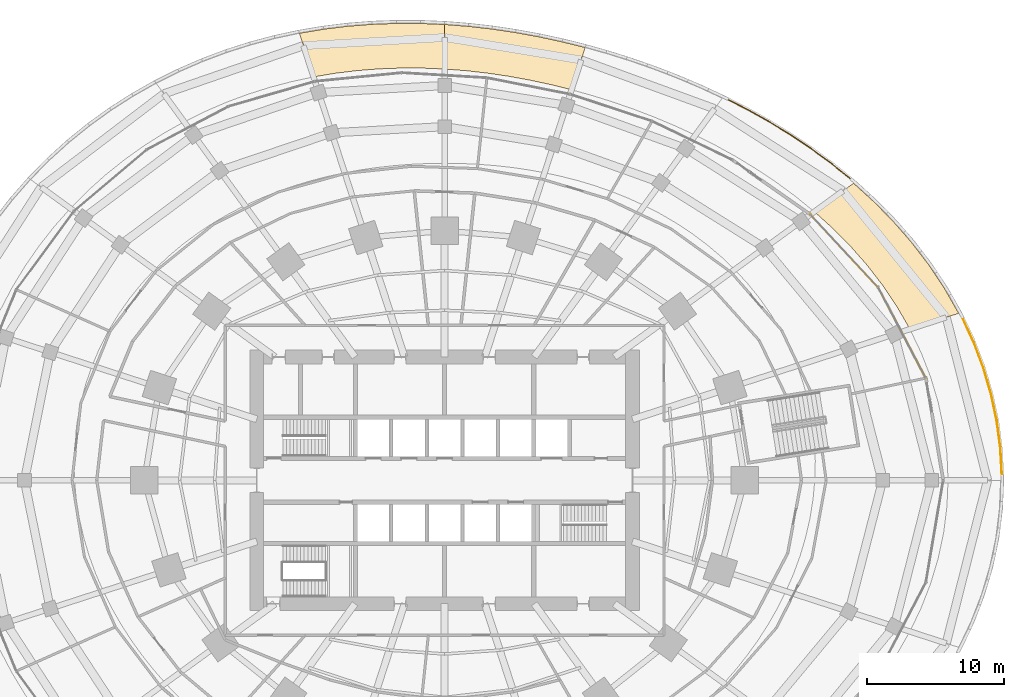
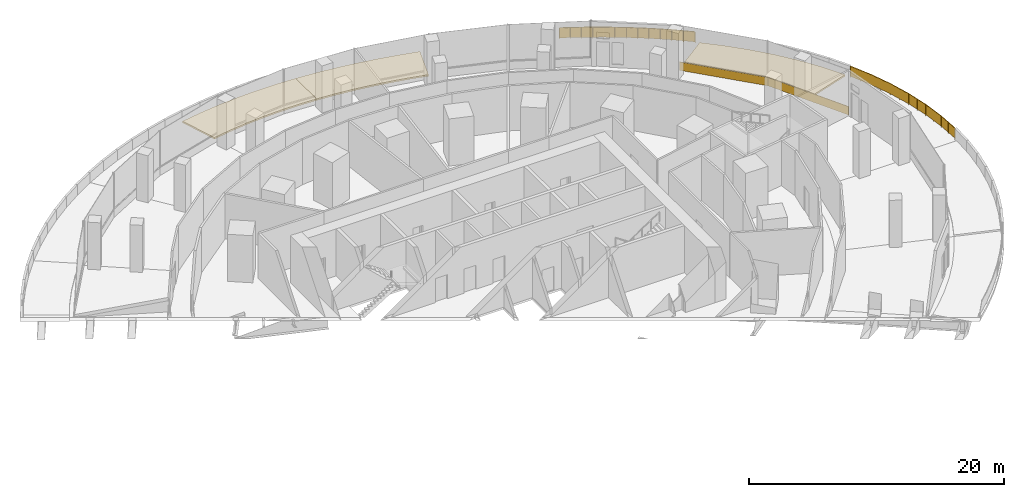
# One storey, part 27 of 27: 5 coverings, 2 railings.
"""IFC4 building model written with IfcOpenShell, lengths in metres."""

from ifc_helpers import new_model, si_unit, direction, frame, origin, origin_2d, place, context, subcontext, project, spatial, polyline, rectangle, circle, outline, extrude, material, layer, layer_set, type_object, element, save


model = new_model("IFC4")

# Units and contexts
model_context = context("Model", 3, precision=1e-05, world=origin(), true_north=direction((0.0, 1.0)))
body_context = subcontext(model_context, "Body", "Model", "MODEL_VIEW")
ifc_project = project(units=[si_unit("LENGTHUNIT", "METRE"), si_unit("AREAUNIT", "SQUARE_METRE"), si_unit("VOLUMEUNIT", "CUBIC_METRE"), si_unit("PLANEANGLEUNIT", "RADIAN"), si_unit("MASSUNIT", "GRAM", prefix="KILO")], contexts=[model_context])

# Site, building, storey
site_placement = place(None, origin())
site = spatial("IfcSite", under=ifc_project, at=site_placement, CompositionType="ELEMENT")
building_placement = place(site_placement, origin())
building = spatial("IfcBuilding", under=site, at=building_placement, Name="Marramba Exchange Tower", CompositionType="ELEMENT")
storey_placement = place(building_placement, frame((0.0, 0.0, 10.60009765625)))
storey = spatial("IfcBuildingStorey", under=building, at=storey_placement, Name="L02", CompositionType="ELEMENT", Elevation=10.60009765625)

# Coverings
ifc_material_1 = material(Name="Extensive green roof: growing medium on drainage cell, filter fabric and root-barrier membrane")
ifc_layer_1 = layer(ifc_material_1, 0.14990234375)
ifc_layer_set_1 = layer_set([ifc_layer_1], Name="Planted roof build-up 150")
covering_type_1 = type_object("IfcCoveringType", Name="Planted roof build-up 150", PredefinedType="ROOFING", material=ifc_layer_set_1)
covering_1_placement = place(storey_placement, origin())
element("IfcCovering", 1, at=covering_1_placement, inside=storey, type_object=covering_type_1, Name="Planted roof build-up L02 bay 02", PredefinedType="ROOFING", context=body_context, shape_type="SweptSolid", body=[
    extrude(outline(polyline([(33.93505859375, 11.026123046875), (32.99462890625, 12.66552734375), (31.948486328125, 14.224365234375), (30.809814453125, 15.698486328125), (29.591796875, 17.0849609375), (28.30712890625, 18.3828125), (26.96728515625, 19.593017578125), (29.825927734375, 21.669677734375), (31.3017578125, 20.32763671875), (32.71630859375, 18.888671875), (34.056884765625, 17.352783203125), (35.30908203125, 15.720703125), (36.459228515625, 13.995361328125), (37.492431640625, 12.18212890625), (33.93505859375, 11.026123046875)])), origin(), (0.0, 0.0, 1.0), 0.14990234375),
])
covering_2_placement = place(storey_placement, origin())
element("IfcCovering", 2, at=covering_2_placement, inside=storey, type_object=covering_type_1, Name="Planted roof build-up L02 bay 05", PredefinedType="ROOFING", context=body_context, shape_type="SweptSolid", body=[
    extrude(outline(polyline([(9.256591796875, 28.48876953125), (7.734375, 28.864990234375), (6.205078125, 29.19287109375), (4.66796875, 29.471923828125), (3.12158203125, 29.700927734375), (1.56591796875, 29.877685546875), (0.0, 30.0), (0.0, 33.25), (1.7353515625, 33.113525390625), (3.459716796875, 32.916015625), (5.1728515625, 32.66064453125), (6.8759765625, 32.34912109375), (8.56982421875, 31.9833984375), (10.255615234375, 31.563720703125), (9.256591796875, 28.48876953125)])), origin(), (0.0, 0.0, 1.0), 0.14990234375),
])
covering_3_placement = place(storey_placement, origin())
element("IfcCovering", 3, at=covering_3_placement, inside=storey, type_object=covering_type_1, Name="Planted roof build-up L02 bay 06", PredefinedType="ROOFING", context=body_context, shape_type="SweptSolid", body=[
    extrude(outline(polyline([(0.0, 30.0), (-1.57568359375, 30.065185546875), (-3.160400390625, 30.0703125), (-4.75341796875, 30.01220703125), (-6.352783203125, 29.887451171875), (-7.956298828125, 29.693115234375), (-9.56103515625, 29.42578125), (-10.595458984375, 32.60986328125), (-10.595458984375, 32.60986328125), (-8.817626953125, 32.907958984375), (-7.040771484375, 33.124755859375), (-5.2685546875, 33.263671875), (-3.5029296875, 33.32861328125), (-1.746337890625, 33.32275390625), (0.0, 33.25), (0.0, 30.0)])), origin(), (0.0, 0.0, 1.0), 0.14990234375),
])
ifc_material_2 = material(Name="Aluminium spandrel panel, bronze anodised, insulated", Category="aluminium")
ifc_layer_2 = layer(ifc_material_2, 0.050048828125)
ifc_layer_set_2 = layer_set([ifc_layer_2], Name="Spandrel panel 800")
covering_type_2 = type_object("IfcCoveringType", Name="Spandrel panel 800", PredefinedType="CLADDING", material=ifc_layer_set_2)
covering_4_placement = place(storey_placement, frame((33.366943359375, 10.77197265625, 0.0), z_axis=(0.0, 0.0, 1.0), x_axis=(-0.46491901553, 0.885353211435, 0.0)))
element("IfcCovering", 4, at=covering_4_placement, inside=storey, type_object=covering_type_2, Name="Spandrel panel SP1 L02 F02", PredefinedType="CLADDING", context=body_context, shape_type="SweptSolid", body=[
    extrude(rectangle(XDim=7.4775390625, YDim=0.050048828125, at=origin_2d()), origin(), (0.0, 0.0, 1.0), 0.800048828125),
])
covering_5_placement = place(storey_placement, frame((29.156494140625, 16.734619140625, 0.0), z_axis=(0.0, 0.0, 1.0), x_axis=(-0.681809422267, 0.731529843348, 0.0)))
element("IfcCovering", 5, at=covering_5_placement, inside=storey, type_object=covering_type_2, Name="Spandrel panel SP1 L02 F03", PredefinedType="CLADDING", context=body_context, shape_type="SweptSolid", body=[
    extrude(rectangle(XDim=7.252197265625, YDim=0.050048828125, at=origin_2d()), origin(), (0.0, 0.0, 1.0), 0.800048828125),
])

# Railings
ifc_material_3 = material(Name="Bronze anodised aluminium and laminated glass guard", Category="aluminium")
railing_type = type_object("IfcRailingType", Name="Terrace guard 1100", PredefinedType="GUARDRAIL", material=ifc_material_3)
railing_1_placement = place(storey_placement, frame((40.64697265625, 0.3984375, 0.0)))
element("IfcRailing", 6, at=railing_1_placement, inside=storey, type_object=railing_type, Name="Terrace guard GR1 L02 bay 01", PredefinedType="GUARDRAIL", context=body_context, shape_type="SweptSolid", body=[
    extrude(circle(Radius=0.02392578125, at=origin_2d()), frame((0.0, 0.0, 1.076171875), z_axis=(-0.055001880338, 0.998486250861, 0.0), x_axis=(-0.998486250861, -0.055001880338, 0.0)), (0.0, 0.0, 1.0), 1.992919921875),
    extrude(circle(Radius=0.02392578125, at=origin_2d()), frame((-0.109619140625, 1.989990234375, 1.076171875), z_axis=(-0.1329025185, 0.991129113979, 0.0), x_axis=(-0.991129113979, -0.1329025185, 0.0)), (0.0, 0.0, 1.0), 1.9912109375),
    extrude(circle(Radius=0.02392578125, at=origin_2d()), frame((-0.374267578125, 3.963623046875, 1.076171875), z_axis=(-0.209034489972, 0.977908268705, 0.0), x_axis=(-0.977908268705, -0.209034489972, 0.0)), (0.0, 0.0, 1.0), 1.989013671875),
    extrude(circle(Radius=0.02392578125, at=origin_2d()), frame((-0.7900390625, 5.90869140625, 1.076171875), z_axis=(-0.282559234492, 0.95924985223, 0.0), x_axis=(-0.95924985223, -0.282559234492, 0.0)), (0.0, 0.0, 1.0), 1.984619140625),
    extrude(circle(Radius=0.02392578125, at=origin_2d()), frame((-1.350830078125, 7.8125, 1.076171875), z_axis=(-0.352704735275, 0.935734668437, 0.0), x_axis=(-0.935734668437, -0.352704735275, 0.0)), (0.0, 0.0, 1.0), 1.97900390625),
    extrude(circle(Radius=0.02392578125, at=origin_2d()), frame((-2.048828125, 9.664306640625, 1.076171875), z_axis=(-0.418861877596, 0.908049958701, 0.0), x_axis=(-0.908049958701, -0.418861877596, 0.0)), (0.0, 0.0, 1.0), 1.971923828125),
    extrude(circle(Radius=0.02099609375, at=origin_2d()), origin(), (0.0, 0.0, 1.0), 1.052001953125),
    extrude(circle(Radius=0.02099609375, at=origin_2d()), frame((-0.0546875, 0.9951171875, 0.0)), (0.0, 0.0, 1.0), 1.052001953125),
    extrude(circle(Radius=0.02099609375, at=origin_2d()), frame((-0.109619140625, 1.989990234375, 0.0)), (0.0, 0.0, 1.0), 1.052001953125),
    extrude(circle(Radius=0.02099609375, at=origin_2d()), frame((-0.241943359375, 2.976806640625, 0.0)), (0.0, 0.0, 1.0), 1.052001953125),
    extrude(circle(Radius=0.02099609375, at=origin_2d()), frame((-0.374267578125, 3.963623046875, 0.0)), (0.0, 0.0, 1.0), 1.052001953125),
    extrude(circle(Radius=0.02099609375, at=origin_2d()), frame((-0.58203125, 4.93603515625, 0.0)), (0.0, 0.0, 1.0), 1.052001953125),
    extrude(circle(Radius=0.02099609375, at=origin_2d()), frame((-0.7900390625, 5.90869140625, 0.0)), (0.0, 0.0, 1.0), 1.052001953125),
    extrude(circle(Radius=0.02099609375, at=origin_2d()), frame((-1.0703125, 6.860595703125, 0.0)), (0.0, 0.0, 1.0), 1.052001953125),
    extrude(circle(Radius=0.02099609375, at=origin_2d()), frame((-1.350830078125, 7.8125, 0.0)), (0.0, 0.0, 1.0), 1.052001953125),
    extrude(circle(Radius=0.02099609375, at=origin_2d()), frame((-1.69970703125, 8.73828125, 0.0)), (0.0, 0.0, 1.0), 1.052001953125),
    extrude(circle(Radius=0.02099609375, at=origin_2d()), frame((-2.048828125, 9.664306640625, 0.0)), (0.0, 0.0, 1.0), 1.052001953125),
    extrude(circle(Radius=0.02099609375, at=origin_2d()), frame((-2.4619140625, 10.5595703125, 0.0)), (0.0, 0.0, 1.0), 1.052001953125),
    extrude(circle(Radius=0.02099609375, at=origin_2d()), frame((-2.874755859375, 11.454833984375, 0.0)), (0.0, 0.0, 1.0), 1.052001953125),
    extrude(rectangle(XDim=0.978515625, YDim=0.02001953125, at=origin_2d()), frame((-0.02734375, 0.49755859375, 0.10009765625), z_axis=(0.0, 0.0, 1.0), x_axis=(-0.055001880338, 0.998486250861, 0.0)), (0.0, 0.0, 1.0), 0.951904296875),
    extrude(rectangle(XDim=0.978515625, YDim=0.02001953125, at=origin_2d()), frame((-0.082275390625, 1.492431640625, 0.10009765625), z_axis=(0.0, 0.0, 1.0), x_axis=(-0.055001880338, 0.998486250861, 0.0)), (0.0, 0.0, 1.0), 0.951904296875),
    extrude(rectangle(XDim=0.9775390625, YDim=0.02001953125, at=origin_2d()), frame((-0.17578125, 2.4833984375, 0.10009765625), z_axis=(0.0, 0.0, 1.0), x_axis=(-0.1329025185, 0.991129113979, 0.0)), (0.0, 0.0, 1.0), 0.951904296875),
    extrude(rectangle(XDim=0.9775390625, YDim=0.02001953125, at=origin_2d()), frame((-0.30810546875, 3.47021484375, 0.10009765625), z_axis=(0.0, 0.0, 1.0), x_axis=(-0.1329025185, 0.991129113979, 0.0)), (0.0, 0.0, 1.0), 0.951904296875),
    extrude(rectangle(XDim=0.9765625, YDim=0.02001953125, at=origin_2d()), frame((-0.478271484375, 4.449951171875, 0.10009765625), z_axis=(0.0, 0.0, 1.0), x_axis=(-0.209034489972, 0.977908268705, 0.0)), (0.0, 0.0, 1.0), 0.951904296875),
    extrude(rectangle(XDim=0.9765625, YDim=0.02001953125, at=origin_2d()), frame((-0.68603515625, 5.42236328125, 0.10009765625), z_axis=(0.0, 0.0, 1.0), x_axis=(-0.209034489972, 0.977908268705, 0.0)), (0.0, 0.0, 1.0), 0.951904296875),
    extrude(rectangle(XDim=0.974365234375, YDim=0.02001953125, at=origin_2d()), frame((-0.93017578125, 6.384765625, 0.10009765625), z_axis=(0.0, 0.0, 1.0), x_axis=(-0.282559234492, 0.95924985223, 0.0)), (0.0, 0.0, 1.0), 0.951904296875),
    extrude(rectangle(XDim=0.974365234375, YDim=0.02001953125, at=origin_2d()), frame((-1.210693359375, 7.33642578125, 0.10009765625), z_axis=(0.0, 0.0, 1.0), x_axis=(-0.282559234492, 0.95924985223, 0.0)), (0.0, 0.0, 1.0), 0.951904296875),
    extrude(rectangle(XDim=0.971435546875, YDim=0.02001953125, at=origin_2d()), frame((-1.525390625, 8.275390625, 0.10009765625), z_axis=(0.0, 0.0, 1.0), x_axis=(-0.352704735275, 0.935734668437, 0.0)), (0.0, 0.0, 1.0), 0.951904296875),
    extrude(rectangle(XDim=0.971435546875, YDim=0.02001953125, at=origin_2d()), frame((-1.874267578125, 9.201416015625, 0.10009765625), z_axis=(0.0, 0.0, 1.0), x_axis=(-0.352704735275, 0.935734668437, 0.0)), (0.0, 0.0, 1.0), 0.951904296875),
    extrude(rectangle(XDim=0.968017578125, YDim=0.02001953125, at=origin_2d()), frame((-2.25537109375, 10.11181640625, 0.10009765625), z_axis=(0.0, 0.0, 1.0), x_axis=(-0.418861877596, 0.908049958701, 0.0)), (0.0, 0.0, 1.0), 0.951904296875),
    extrude(rectangle(XDim=0.968017578125, YDim=0.02001953125, at=origin_2d()), frame((-2.668212890625, 11.00732421875, 0.10009765625), z_axis=(0.0, 0.0, 1.0), x_axis=(-0.418861877596, 0.908049958701, 0.0)), (0.0, 0.0, 1.0), 0.951904296875),
])
railing_2_placement = place(storey_placement, frame((29.595947265625, 21.993896484375, 0.0)))
element("IfcRailing", 7, at=railing_2_placement, inside=storey, type_object=railing_type, Name="Terrace guard GR1 L02 bay 03", PredefinedType="GUARDRAIL", context=body_context, shape_type="SweptSolid", body=[
    extrude(circle(Radius=0.02392578125, at=origin_2d()), frame((0.0, 0.0, 1.076171875), z_axis=(-0.779057739733, 0.626952181719, 0.0), x_axis=(-0.626952181719, -0.779057739733, 0.0)), (0.0, 0.0, 1.0), 1.831298828125),
    extrude(circle(Radius=0.02392578125, at=origin_2d()), frame((-1.4267578125, 1.148193359375, 1.076171875), z_axis=(-0.806589407898, 0.591112110405, 0.0), x_axis=(-0.591112110405, -0.806589407898, 0.0)), (0.0, 0.0, 1.0), 1.809326171875),
    extrude(circle(Radius=0.02392578125, at=origin_2d()), frame((-2.88623046875, 2.2177734375, 1.076171875), z_axis=(-0.83089251439, 0.556432951514, 0.0), x_axis=(-0.556432951514, -0.83089251439, 0.0)), (0.0, 0.0, 1.0), 1.787109375),
    extrude(circle(Radius=0.02392578125, at=origin_2d()), frame((-4.37109375, 3.212158203125, 1.076171875), z_axis=(-0.852422237364, 0.522854022886, 0.0), x_axis=(-0.522854022886, -0.852422237364, 0.0)), (0.0, 0.0, 1.0), 1.7646484375),
    extrude(circle(Radius=0.02392578125, at=origin_2d()), frame((-5.875244140625, 4.134765625, 1.076171875), z_axis=(-0.871474507116, 0.490440805242, 0.0), x_axis=(-0.490440805242, -0.871474507116, 0.0)), (0.0, 0.0, 1.0), 1.74267578125),
    extrude(circle(Radius=0.02392578125, at=origin_2d()), frame((-7.39404296875, 4.989501953125, 1.076171875), z_axis=(-0.888275502713, 0.459311039797, 0.0), x_axis=(-0.459311039797, -0.888275502713, 0.0)), (0.0, 0.0, 1.0), 1.7216796875),
    extrude(circle(Radius=0.02099609375, at=origin_2d()), origin(), (0.0, 0.0, 1.0), 1.052001953125),
    extrude(circle(Radius=0.02099609375, at=origin_2d()), frame((-0.71337890625, 0.57421875, 0.0)), (0.0, 0.0, 1.0), 1.052001953125),
    extrude(circle(Radius=0.02099609375, at=origin_2d()), frame((-1.4267578125, 1.148193359375, 0.0)), (0.0, 0.0, 1.0), 1.052001953125),
    extrude(circle(Radius=0.02099609375, at=origin_2d()), frame((-2.156494140625, 1.68310546875, 0.0)), (0.0, 0.0, 1.0), 1.052001953125),
    extrude(circle(Radius=0.02099609375, at=origin_2d()), frame((-2.88623046875, 2.2177734375, 0.0)), (0.0, 0.0, 1.0), 1.052001953125),
    extrude(circle(Radius=0.02099609375, at=origin_2d()), frame((-3.628662109375, 2.71484375, 0.0)), (0.0, 0.0, 1.0), 1.052001953125),
    extrude(circle(Radius=0.02099609375, at=origin_2d()), frame((-4.37109375, 3.212158203125, 0.0)), (0.0, 0.0, 1.0), 1.052001953125),
    extrude(circle(Radius=0.02099609375, at=origin_2d()), frame((-5.123046875, 3.67333984375, 0.0)), (0.0, 0.0, 1.0), 1.052001953125),
    extrude(circle(Radius=0.02099609375, at=origin_2d()), frame((-5.875244140625, 4.134765625, 0.0)), (0.0, 0.0, 1.0), 1.052001953125),
    extrude(circle(Radius=0.02099609375, at=origin_2d()), frame((-6.634765625, 4.56201171875, 0.0)), (0.0, 0.0, 1.0), 1.052001953125),
    extrude(circle(Radius=0.02099609375, at=origin_2d()), frame((-7.39404296875, 4.989501953125, 0.0)), (0.0, 0.0, 1.0), 1.052001953125),
    extrude(circle(Radius=0.02099609375, at=origin_2d()), frame((-8.15869140625, 5.384765625, 0.0)), (0.0, 0.0, 1.0), 1.052001953125),
    extrude(circle(Radius=0.02099609375, at=origin_2d()), frame((-8.92333984375, 5.7802734375, 0.0)), (0.0, 0.0, 1.0), 1.052001953125),
    extrude(rectangle(XDim=0.897705078125, YDim=0.02001953125, at=origin_2d()), frame((-0.356689453125, 0.287109375, 0.10009765625), z_axis=(0.0, 0.0, 1.0), x_axis=(-0.779057739733, 0.626952181719, 0.0)), (0.0, 0.0, 1.0), 0.951904296875),
    extrude(rectangle(XDim=0.897705078125, YDim=0.02001953125, at=origin_2d()), frame((-1.070068359375, 0.861083984375, 0.10009765625), z_axis=(0.0, 0.0, 1.0), x_axis=(-0.779057739733, 0.626952181719, 0.0)), (0.0, 0.0, 1.0), 0.951904296875),
    extrude(rectangle(XDim=0.88671875, YDim=0.02001953125, at=origin_2d()), frame((-1.79150390625, 1.41552734375, 0.10009765625), z_axis=(0.0, 0.0, 1.0), x_axis=(-0.806589407898, 0.591112110405, 0.0)), (0.0, 0.0, 1.0), 0.951904296875),
    extrude(rectangle(XDim=0.88671875, YDim=0.02001953125, at=origin_2d()), frame((-2.521484375, 1.950439453125, 0.10009765625), z_axis=(0.0, 0.0, 1.0), x_axis=(-0.806589407898, 0.591112110405, 0.0)), (0.0, 0.0, 1.0), 0.951904296875),
    extrude(rectangle(XDim=0.87548828125, YDim=0.02001953125, at=origin_2d()), frame((-3.25732421875, 2.46630859375, 0.10009765625), z_axis=(0.0, 0.0, 1.0), x_axis=(-0.83089251439, 0.556432951514, 0.0)), (0.0, 0.0, 1.0), 0.951904296875),
    extrude(rectangle(XDim=0.87548828125, YDim=0.02001953125, at=origin_2d()), frame((-4.0, 2.963623046875, 0.10009765625), z_axis=(0.0, 0.0, 1.0), x_axis=(-0.83089251439, 0.556432951514, 0.0)), (0.0, 0.0, 1.0), 0.951904296875),
    extrude(rectangle(XDim=0.8642578125, YDim=0.02001953125, at=origin_2d()), frame((-4.7470703125, 3.44287109375, 0.10009765625), z_axis=(0.0, 0.0, 1.0), x_axis=(-0.852422237364, 0.522854022886, 0.0)), (0.0, 0.0, 1.0), 0.951904296875),
    extrude(rectangle(XDim=0.8642578125, YDim=0.02001953125, at=origin_2d()), frame((-5.499267578125, 3.904052734375, 0.10009765625), z_axis=(0.0, 0.0, 1.0), x_axis=(-0.852422237364, 0.522854022886, 0.0)), (0.0, 0.0, 1.0), 0.951904296875),
    extrude(rectangle(XDim=0.853515625, YDim=0.02001953125, at=origin_2d()), frame((-6.2548828125, 4.348388671875, 0.10009765625), z_axis=(0.0, 0.0, 1.0), x_axis=(-0.871474507116, 0.490440805242, 0.0)), (0.0, 0.0, 1.0), 0.951904296875),
    extrude(rectangle(XDim=0.853515625, YDim=0.02001953125, at=origin_2d()), frame((-7.014404296875, 4.77587890625, 0.10009765625), z_axis=(0.0, 0.0, 1.0), x_axis=(-0.871474507116, 0.490440805242, 0.0)), (0.0, 0.0, 1.0), 0.951904296875),
    extrude(rectangle(XDim=0.8427734375, YDim=0.02001953125, at=origin_2d()), frame((-7.7763671875, 5.187255859375, 0.10009765625), z_axis=(0.0, 0.0, 1.0), x_axis=(-0.888275502713, 0.459311039797, 0.0)), (0.0, 0.0, 1.0), 0.951904296875),
    extrude(rectangle(XDim=0.8427734375, YDim=0.02001953125, at=origin_2d()), frame((-8.541015625, 5.58251953125, 0.10009765625), z_axis=(0.0, 0.0, 1.0), x_axis=(-0.888275502713, 0.459311039797, 0.0)), (0.0, 0.0, 1.0), 0.951904296875),
])

save(model, "model.ifc")
